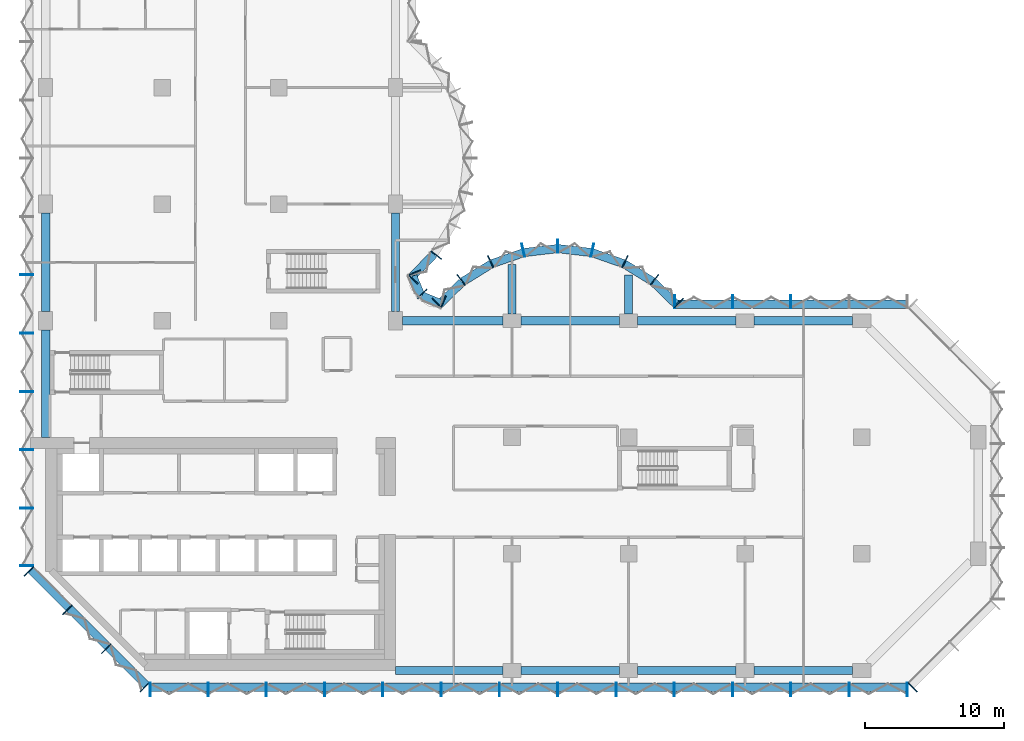
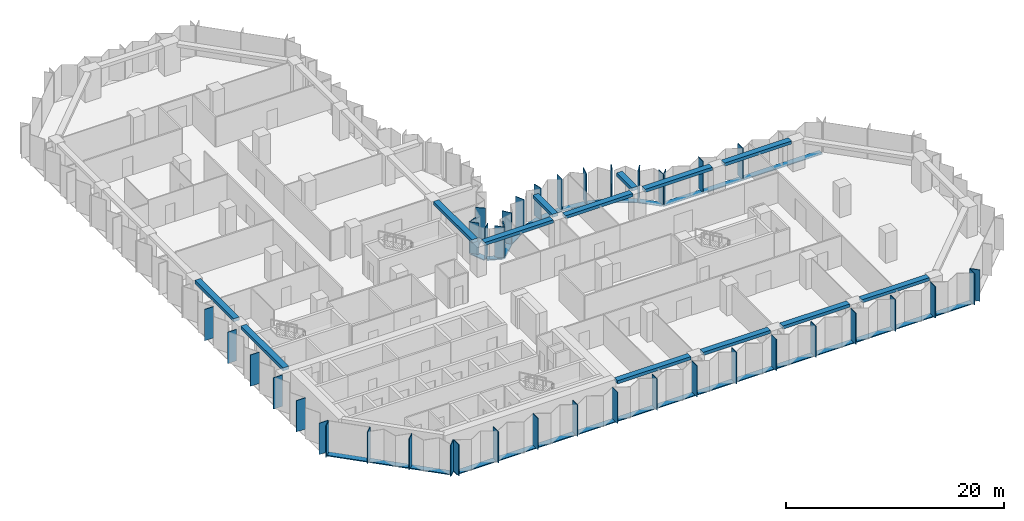
# One storey, part 2 of 13: 56 members, 13 beams, 8 elements without a shape of their own.
"""IFC4 building model written with IfcOpenShell, lengths in metres."""

import ifcopenshell
import ifcopenshell.guid

model = None  # the IFC model being written
_history = None  # IfcOwnerHistory: only IFC2X3 demands one
_inside = {}  # id of a spatial element -> (the spatial element, [elements in it])
_under = {}  # id of a project, library or spatial element -> (it, [spatial elements below it])
_declared = {}  # id of a project -> (the project, [libraries it declares])
_typed = {}  # id of a type object -> (the type object, [elements of that type])
_made_of = {}  # id of a material, layer set ... -> (it, [elements and type objects made of it])


def new_model(schema):
    """Start an empty IFC model of exactly this schema.

    Asked for "IFC4X3", IfcOpenShell would pick the latest addendum, in which some entities
    have other attributes; the version numbers below select the first issue.
    IFC2X3 requires an IfcOwnerHistory on every rooted entity: one is made here for all.
    """
    global model, _history
    if schema == "IFC4X3":
        model = ifcopenshell.file(schema_version=(4, 3, 0, 0))
    else:
        model = ifcopenshell.file(schema=schema)
    _inside.clear()
    _under.clear()
    _declared.clear()
    _typed.clear()
    _made_of.clear()
    _history = None
    if model.schema == "IFC2X3":
        org = make("IfcOrganization", Name="unknown")
        user = make(
            "IfcPersonAndOrganization",
            ThePerson=make("IfcPerson", FamilyName="unknown"),
            TheOrganization=org,
        )
        app = make(
            "IfcApplication",
            ApplicationDeveloper=org,
            Version="unknown",
            ApplicationFullName="unknown",
            ApplicationIdentifier="unknown",
        )
        _history = make(
            "IfcOwnerHistory",
            OwningUser=user,
            OwningApplication=app,
            ChangeAction="ADDED",
            CreationDate=0,
        )
    return model


def make(cls, **values):
    """One entity of the class cls with the attributes given. An attribute that is None is left unset."""
    return model.create_entity(
        cls, **{name: value for name, value in values.items() if value is not None}
    )


def rooted(cls, **values):
    """An entity with a GlobalId (a new one), such as an element, a storey or a relation."""
    return make(cls, GlobalId=ifcopenshell.guid.new(), OwnerHistory=_history, **values)


def si_unit(unit_type, name, prefix=None):
    """IfcSIUnit, for example si_unit("LENGTHUNIT", "METRE", prefix="MILLI")."""
    return make("IfcSIUnit", UnitType=unit_type, Prefix=prefix, Name=name)


def assignment(units):
    """IfcUnitAssignment: the units of a project."""
    return None if units is None else make("IfcUnitAssignment", Units=units)


def point(xyz):
    """IfcCartesianPoint."""
    return None if xyz is None else make("IfcCartesianPoint", Coordinates=xyz)


def direction(xyz):
    """IfcDirection."""
    return None if xyz is None else make("IfcDirection", DirectionRatios=xyz)


def frame(location, z_axis=None, x_axis=None):
    """IfcAxis2Placement3D, a coordinate frame: its origin and axes. An axis left out is left unset."""
    return make(
        "IfcAxis2Placement3D",
        Location=point(location),
        Axis=direction(z_axis),
        RefDirection=direction(x_axis),
    )


def frame_2d(location, x_axis=None):
    """IfcAxis2Placement2D, a coordinate frame in the plane: its origin and x axis."""
    return make(
        "IfcAxis2Placement2D", Location=point(location), RefDirection=direction(x_axis)
    )


def origin():
    """The frame at (0, 0, 0) with its axes left unset."""
    return frame((0.0, 0.0, 0.0))


def origin_2d():
    """The frame at (0, 0) in the plane with its x axis left unset."""
    return frame_2d((0.0, 0.0))


def place(relative_to, where):
    """IfcLocalPlacement: puts the frame where relative to a parent placement (None: the world)."""
    return make(
        "IfcLocalPlacement", PlacementRelTo=relative_to, RelativePlacement=where
    )


def context(
    kind, dimensions, precision=None, world=None, true_north=None, identifier=None
):
    """IfcGeometricRepresentationContext, for example the 3D "Model" context."""
    return make(
        "IfcGeometricRepresentationContext",
        ContextIdentifier=identifier,
        ContextType=kind,
        CoordinateSpaceDimension=dimensions,
        Precision=precision,
        WorldCoordinateSystem=world,
        TrueNorth=true_north,
    )


def subcontext(parent, identifier, kind, view, scale=None):
    """IfcGeometricRepresentationSubContext, for example "Body" below "Model"."""
    return make(
        "IfcGeometricRepresentationSubContext",
        ContextIdentifier=identifier,
        ContextType=kind,
        ParentContext=parent,
        TargetScale=scale,
        TargetView=view,
    )


def project(units=None, contexts=None):
    """IfcProject with its units and contexts."""
    return rooted(
        "IfcProject",
        Name="project",
        RepresentationContexts=contexts,
        UnitsInContext=assignment(units),
    )


def spatial(cls, under=None, at=None, **own):
    """A site, building, storey or space (cls), placed at a placement, below another one or the project."""
    s = rooted(cls, ObjectPlacement=at, **own)
    if under is not None:
        _under.setdefault(under.id(), (under, []))[1].append(s)
    return s


def profile(cls, at=None, kind="AREA", **sizes):
    """A parametric profile (cls). Its sizes go by their IFC names, for example OverallWidth=200.0."""
    return make(cls, ProfileType=kind, Position=at, **sizes)


def rectangle(**sizes):
    """IfcRectangleProfileDef."""
    return profile("IfcRectangleProfileDef", **sizes)


def extrude(swept, where, along, depth):
    """IfcExtrudedAreaSolid: the profile swept, set in the frame where, extruded along a direction by depth."""
    return make(
        "IfcExtrudedAreaSolid",
        SweptArea=swept,
        Position=where,
        ExtrudedDirection=direction(along),
        Depth=depth,
    )


def shape(context_of_items, identifier, shape_type, items):
    """IfcShapeRepresentation: the items that make up one representation, for example the "Body"."""
    return make(
        "IfcShapeRepresentation",
        ContextOfItems=context_of_items,
        RepresentationIdentifier=identifier,
        RepresentationType=shape_type,
        Items=items,
    )


def material(Name=None, Category=None):
    """IfcMaterial."""
    return make("IfcMaterial", Name=Name, Category=Category)


def material_profile(
    of_material, cross_section, Name=None, Category=None, Priority=None
):
    """IfcMaterialProfile: a cross section and its material."""
    return make(
        "IfcMaterialProfile",
        Name=Name,
        Material=of_material,
        Profile=cross_section,
        Priority=Priority,
        Category=Category,
    )


def profile_set(profiles, Name=None, composite=None):
    """IfcMaterialProfileSet."""
    return make(
        "IfcMaterialProfileSet",
        Name=Name,
        MaterialProfiles=profiles,
        CompositeProfile=composite,
    )


def made_of(thing, what):
    """Note that an element or type object is made of a material, layer set ...; save() writes the relation."""
    if what is not None:
        _made_of.setdefault(what.id(), (what, []))[1].append(thing)
    return thing


def type_object(cls, material=None, **own):
    """A type object (cls), such as IfcWallType, which elements share."""
    return made_of(rooted(cls, **own), material)


def element(
    cls,
    number,
    at=None,
    inside=None,
    cuts=None,
    type_object=None,
    material=None,
    context=None,
    identifier="Body",
    shape_type=None,
    held_by="IfcProductDefinitionShape",
    body=None,
    shapes=None,
    **own,
):
    """One element of the class cls, such as IfcWall. Its Tag is "e" and its number.

    at: its placement. inside: the storey or other place that contains it. cuts: it is an
    opening in that element (IfcRelVoidsElement). A single representation is given by context,
    identifier, shape_type and body (its items); several are given by shapes. held_by: the class
    of the entity that holds the representations. save() writes the other relations.
    """
    e = rooted(cls, Tag="e%d" % number, ObjectPlacement=at, **own)
    if body is not None:
        shapes = [shape(context, identifier, shape_type, body)]
    if shapes is not None:
        e.Representation = make(held_by, Representations=shapes)
    if inside is not None:
        _inside.setdefault(inside.id(), (inside, []))[1].append(e)
    if cuts is not None:
        rooted(
            "IfcRelVoidsElement", RelatingBuildingElement=cuts, RelatedOpeningElement=e
        )
    if type_object is not None:
        _typed.setdefault(type_object.id(), (type_object, []))[1].append(e)
    return made_of(e, material)


def aggregate(whole, parts):
    """IfcRelAggregates: a whole, such as a stair, and the parts it consists of."""
    return rooted("IfcRelAggregates", RelatingObject=whole, RelatedObjects=parts)


def save(model, path):
    """Write the relations noted so far, then the file.

    IfcRelAggregates (storeys below a building ...), IfcRelContainedInSpatialStructure (elements
    in a storey), IfcRelDefinesByType, IfcRelAssociatesMaterial and IfcRelDeclares: one each for
    every whole, place, type object, material and project.
    """
    for whole, parts in _under.values():
        aggregate(whole, parts)
    for where, things in _inside.values():
        rooted(
            "IfcRelContainedInSpatialStructure",
            RelatedElements=things,
            RelatingStructure=where,
        )
    for kind, things in _typed.values():
        rooted("IfcRelDefinesByType", RelatedObjects=things, RelatingType=kind)
    for what, things in _made_of.values():
        rooted("IfcRelAssociatesMaterial", RelatedObjects=things, RelatingMaterial=what)
    for by, libraries in _declared.values():
        rooted("IfcRelDeclares", RelatingContext=by, RelatedDefinitions=libraries)
    model.write(path)


model = new_model("IFC4")

# Units and contexts
model_context = context("Model", 3, precision=1e-05, world=origin(), true_north=direction((0.0, 1.0)))
body_context = subcontext(model_context, "Body", "Model", "MODEL_VIEW")
ifc_project = project(units=[si_unit("LENGTHUNIT", "METRE"), si_unit("AREAUNIT", "SQUARE_METRE"), si_unit("VOLUMEUNIT", "CUBIC_METRE"), si_unit("PLANEANGLEUNIT", "RADIAN"), si_unit("MASSUNIT", "GRAM", prefix="KILO")], contexts=[model_context])

# Site, building, storey
site_placement = place(None, origin())
site = spatial("IfcSite", under=ifc_project, at=site_placement, CompositionType="ELEMENT")
building_placement = place(site_placement, origin())
building = spatial("IfcBuilding", under=site, at=building_placement, Name="Brevane Broadcast Tower", CompositionType="ELEMENT")
storey_placement = place(building_placement, frame((0.0, 0.0, 113.300048828125)))
storey = spatial("IfcBuildingStorey", under=building, at=storey_placement, Name="L27", CompositionType="ELEMENT", Elevation=113.300048828125)

# Curtain wall, members
ifc_material_1 = material(Name="Aluminium 6063-T6 bronze anodised", Category="aluminium")
curtain_wall_type = type_object("IfcCurtainWallType", Name="CW-1 curtain wall", PredefinedType="NOTDEFINED", material=ifc_material_1)
curtain_wall_1_placement = place(storey_placement, origin())
curtain_wall_1 = element("IfcCurtainWall", 1, at=curtain_wall_1_placement, inside=storey, type_object=curtain_wall_type, Name="CW-1 typical tilted unit L27 south face", PredefinedType="NOTDEFINED")
ifc_material_profile_1 = material_profile(ifc_material_1, rectangle(XDim=0.949951171875, YDim=0.070068359375, at=origin_2d()), Name="RECT 70x950")
ifc_profile_set_1 = profile_set([ifc_material_profile_1], Name="Aluminium 6063-T6 bronze anodised")
member_type_1 = type_object("IfcMemberType", Name="CW-1 mullion 70x950", PredefinedType="MULLION", material=ifc_profile_set_1)
member_1_placement = place(storey_placement, frame((7.534912109375, -1.375, -0.150146484375), z_axis=(0.0, 0.0, 1.0), x_axis=(0.0, 1.0, 0.0)))
member_1 = element("IfcMember", 2, at=member_1_placement, type_object=member_type_1, Name="CW-1 mullion", PredefinedType="MULLION", context=body_context, shape_type="SweptSolid", body=[
    extrude(rectangle(XDim=0.949951171875, YDim=0.070068359375, at=origin_2d()), origin(), (0.0, 0.0, 1.0), 3.5),
])
member_2_placement = place(storey_placement, frame((11.699951171875, -1.375, -0.150146484375), z_axis=(0.0, 0.0, 1.0), x_axis=(0.0, 1.0, 0.0)))
member_2 = element("IfcMember", 3, at=member_2_placement, type_object=member_type_1, Name="CW-1 mullion", PredefinedType="MULLION", context=body_context, shape_type="SweptSolid", body=[
    extrude(rectangle(XDim=0.949951171875, YDim=0.070068359375, at=origin_2d()), origin(), (0.0, 0.0, 1.0), 3.5),
])
member_3_placement = place(storey_placement, frame((15.89990234375, -1.375, -0.150146484375), z_axis=(0.0, 0.0, 1.0), x_axis=(0.0, 1.0, 0.0)))
member_3 = element("IfcMember", 4, at=member_3_placement, type_object=member_type_1, Name="CW-1 mullion", PredefinedType="MULLION", context=body_context, shape_type="SweptSolid", body=[
    extrude(rectangle(XDim=0.949951171875, YDim=0.070068359375, at=origin_2d()), origin(), (0.0, 0.0, 1.0), 3.5),
])
member_4_placement = place(storey_placement, frame((20.10009765625, -1.375, -0.150146484375), z_axis=(0.0, 0.0, 1.0), x_axis=(0.0, 1.0, 0.0)))
member_4 = element("IfcMember", 5, at=member_4_placement, type_object=member_type_1, Name="CW-1 mullion", PredefinedType="MULLION", context=body_context, shape_type="SweptSolid", body=[
    extrude(rectangle(XDim=0.949951171875, YDim=0.070068359375, at=origin_2d()), origin(), (0.0, 0.0, 1.0), 3.5),
])
member_5_placement = place(storey_placement, frame((24.300048828125, -1.375, -0.150146484375), z_axis=(0.0, 0.0, 1.0), x_axis=(0.0, 1.0, 0.0)))
member_5 = element("IfcMember", 6, at=member_5_placement, type_object=member_type_1, Name="CW-1 mullion", PredefinedType="MULLION", context=body_context, shape_type="SweptSolid", body=[
    extrude(rectangle(XDim=0.949951171875, YDim=0.070068359375, at=origin_2d()), origin(), (0.0, 0.0, 1.0), 3.5),
])
member_6_placement = place(storey_placement, frame((28.5, -1.375, -0.150146484375), z_axis=(0.0, 0.0, 1.0), x_axis=(0.0, 1.0, 0.0)))
member_6 = element("IfcMember", 7, at=member_6_placement, type_object=member_type_1, Name="CW-1 mullion", PredefinedType="MULLION", context=body_context, shape_type="SweptSolid", body=[
    extrude(rectangle(XDim=0.949951171875, YDim=0.070068359375, at=origin_2d()), origin(), (0.0, 0.0, 1.0), 3.5),
])
member_7_placement = place(storey_placement, frame((32.699951171875, -1.375, -0.150146484375), z_axis=(0.0, 0.0, 1.0), x_axis=(0.0, 1.0, 0.0)))
member_7 = element("IfcMember", 8, at=member_7_placement, type_object=member_type_1, Name="CW-1 mullion", PredefinedType="MULLION", context=body_context, shape_type="SweptSolid", body=[
    extrude(rectangle(XDim=0.949951171875, YDim=0.070068359375, at=origin_2d()), origin(), (0.0, 0.0, 1.0), 3.5),
])
member_8_placement = place(storey_placement, frame((36.89990234375, -1.375, -0.150146484375), z_axis=(0.0, 0.0, 1.0), x_axis=(0.0, 1.0, 0.0)))
member_8 = element("IfcMember", 9, at=member_8_placement, type_object=member_type_1, Name="CW-1 mullion", PredefinedType="MULLION", context=body_context, shape_type="SweptSolid", body=[
    extrude(rectangle(XDim=0.949951171875, YDim=0.070068359375, at=origin_2d()), origin(), (0.0, 0.0, 1.0), 3.5),
])
member_9_placement = place(storey_placement, frame((41.10009765625, -1.375, -0.150146484375), z_axis=(0.0, 0.0, 1.0), x_axis=(0.0, 1.0, 0.0)))
member_9 = element("IfcMember", 10, at=member_9_placement, type_object=member_type_1, Name="CW-1 mullion", PredefinedType="MULLION", context=body_context, shape_type="SweptSolid", body=[
    extrude(rectangle(XDim=0.949951171875, YDim=0.070068359375, at=origin_2d()), origin(), (0.0, 0.0, 1.0), 3.5),
])
member_10_placement = place(storey_placement, frame((45.300048828125, -1.375, -0.150146484375), z_axis=(0.0, 0.0, 1.0), x_axis=(0.0, 1.0, 0.0)))
member_10 = element("IfcMember", 11, at=member_10_placement, type_object=member_type_1, Name="CW-1 mullion", PredefinedType="MULLION", context=body_context, shape_type="SweptSolid", body=[
    extrude(rectangle(XDim=0.949951171875, YDim=0.070068359375, at=origin_2d()), origin(), (0.0, 0.0, 1.0), 3.5),
])
member_11_placement = place(storey_placement, frame((49.5, -1.375, -0.150146484375), z_axis=(0.0, 0.0, 1.0), x_axis=(0.0, 1.0, 0.0)))
member_11 = element("IfcMember", 12, at=member_11_placement, type_object=member_type_1, Name="CW-1 mullion", PredefinedType="MULLION", context=body_context, shape_type="SweptSolid", body=[
    extrude(rectangle(XDim=0.949951171875, YDim=0.070068359375, at=origin_2d()), origin(), (0.0, 0.0, 1.0), 3.5),
])
member_12_placement = place(storey_placement, frame((53.699951171875, -1.375, -0.150146484375), z_axis=(0.0, 0.0, 1.0), x_axis=(0.0, 1.0, 0.0)))
member_12 = element("IfcMember", 13, at=member_12_placement, type_object=member_type_1, Name="CW-1 mullion", PredefinedType="MULLION", context=body_context, shape_type="SweptSolid", body=[
    extrude(rectangle(XDim=0.949951171875, YDim=0.070068359375, at=origin_2d()), origin(), (0.0, 0.0, 1.0), 3.5),
])
member_13_placement = place(storey_placement, frame((57.89990234375, -1.375, -0.150146484375), z_axis=(0.0, 0.0, 1.0), x_axis=(0.0, 1.0, 0.0)))
member_13 = element("IfcMember", 14, at=member_13_placement, type_object=member_type_1, Name="CW-1 mullion", PredefinedType="MULLION", context=body_context, shape_type="SweptSolid", body=[
    extrude(rectangle(XDim=0.949951171875, YDim=0.070068359375, at=origin_2d()), origin(), (0.0, 0.0, 1.0), 3.5),
])
member_14_placement = place(storey_placement, frame((62.06494140625, -1.375, -0.150146484375), z_axis=(0.0, 0.0, 1.0), x_axis=(0.0, 1.0, 0.0)))
member_14 = element("IfcMember", 15, at=member_14_placement, type_object=member_type_1, Name="CW-1 mullion", PredefinedType="MULLION", context=body_context, shape_type="SweptSolid", body=[
    extrude(rectangle(XDim=0.949951171875, YDim=0.070068359375, at=origin_2d()), origin(), (0.0, 0.0, 1.0), 3.5),
])

# Curtain wall, member
curtain_wall_2_placement = place(storey_placement, origin())
curtain_wall_2 = element("IfcCurtainWall", 16, at=curtain_wall_2_placement, inside=storey, type_object=curtain_wall_type, Name="CW-1 typical tilted unit L27 south-east chamfer", PredefinedType="NOTDEFINED")
member_15_placement = place(storey_placement, frame((62.460693359375, -1.211181640625, -0.150146484375), z_axis=(0.0, 0.0, 1.0), x_axis=(-0.707106781187, 0.707106781187, 0.0)))
member_15 = element("IfcMember", 17, at=member_15_placement, type_object=member_type_1, Name="CW-1 mullion", PredefinedType="MULLION", context=body_context, shape_type="SweptSolid", body=[
    extrude(rectangle(XDim=0.949951171875, YDim=0.070068359375, at=origin_2d()), origin(), (0.0, 0.0, 1.0), 3.5),
])
aggregate(curtain_wall_2, [member_15])

# Curtain wall, members
curtain_wall_3_placement = place(storey_placement, origin())
curtain_wall_3 = element("IfcCurtainWall", 18, at=curtain_wall_3_placement, inside=storey, type_object=curtain_wall_type, Name="CW-1 typical tilted unit L27 east arm north face", PredefinedType="NOTDEFINED")
member_16_placement = place(storey_placement, frame((53.699951171875, 26.574951171875, -0.150146484375), z_axis=(0.0, 0.0, 1.0), x_axis=(0.0, -1.0, 0.0)))
member_16 = element("IfcMember", 19, at=member_16_placement, type_object=member_type_1, Name="CW-1 mullion", PredefinedType="MULLION", context=body_context, shape_type="SweptSolid", body=[
    extrude(rectangle(XDim=0.949951171875, YDim=0.070068359375, at=origin_2d()), origin(), (0.0, 0.0, 1.0), 3.5),
])
member_17_placement = place(storey_placement, frame((49.5, 26.574951171875, -0.150146484375), z_axis=(0.0, 0.0, 1.0), x_axis=(0.0, -1.0, 0.0)))
member_17 = element("IfcMember", 20, at=member_17_placement, type_object=member_type_1, Name="CW-1 mullion", PredefinedType="MULLION", context=body_context, shape_type="SweptSolid", body=[
    extrude(rectangle(XDim=0.949951171875, YDim=0.070068359375, at=origin_2d()), origin(), (0.0, 0.0, 1.0), 3.5),
])
member_18_placement = place(storey_placement, frame((45.3349609375, 26.574951171875, -0.150146484375), z_axis=(0.0, 0.0, 1.0), x_axis=(0.0, -1.0, 0.0)))
member_18 = element("IfcMember", 21, at=member_18_placement, type_object=member_type_1, Name="CW-1 mullion", PredefinedType="MULLION", context=body_context, shape_type="SweptSolid", body=[
    extrude(rectangle(XDim=0.949951171875, YDim=0.070068359375, at=origin_2d()), origin(), (0.0, 0.0, 1.0), 3.5),
])

curtain_wall_4_placement = place(storey_placement, origin())
curtain_wall_4 = element("IfcCurtainWall", 22, at=curtain_wall_4_placement, inside=storey, type_object=curtain_wall_type, Name="CW-1 typical tilted unit L27 east bow", PredefinedType="NOTDEFINED")
member_19_placement = place(storey_placement, frame((45.60595703125, 26.465087890625, -0.150146484375), z_axis=(0.0, 0.0, 1.0), x_axis=(-0.696811941702, -0.717253872699, 0.0)))
member_19 = element("IfcMember", 23, at=member_19_placement, type_object=member_type_1, Name="CW-1 mullion", PredefinedType="MULLION", context=body_context, shape_type="SweptSolid", body=[
    extrude(rectangle(XDim=0.949951171875, YDim=0.070068359375, at=origin_2d()), origin(), (0.0, 0.0, 1.0), 3.5),
])
member_20_placement = place(storey_placement, frame((43.8720703125, 28.1455078125, -0.150146484375), z_axis=(0.0, 0.0, 1.0), x_axis=(-0.614769738617, -0.788706642853, 0.0)))
member_20 = element("IfcMember", 24, at=member_20_placement, type_object=member_type_1, Name="CW-1 mullion", PredefinedType="MULLION", context=body_context, shape_type="SweptSolid", body=[
    extrude(rectangle(XDim=0.949951171875, YDim=0.070068359375, at=origin_2d()), origin(), (0.0, 0.0, 1.0), 3.5),
])
member_21_placement = place(storey_placement, frame((41.746826171875, 29.4580078125, -0.150146484375), z_axis=(0.0, 0.0, 1.0), x_axis=(-0.429933601163, -0.902860508933, 0.0)))
member_21 = element("IfcMember", 25, at=member_21_placement, type_object=member_type_1, Name="CW-1 mullion", PredefinedType="MULLION", context=body_context, shape_type="SweptSolid", body=[
    extrude(rectangle(XDim=0.949951171875, YDim=0.070068359375, at=origin_2d()), origin(), (0.0, 0.0, 1.0), 3.5),
])
member_22_placement = place(storey_placement, frame((39.38818359375, 30.28076171875, -0.150146484375), z_axis=(0.0, 0.0, 1.0), x_axis=(-0.224806482215, -0.974403430594, 0.0)))
member_22 = element("IfcMember", 26, at=member_22_placement, type_object=member_type_1, Name="CW-1 mullion", PredefinedType="MULLION", context=body_context, shape_type="SweptSolid", body=[
    extrude(rectangle(XDim=0.949951171875, YDim=0.070068359375, at=origin_2d()), origin(), (0.0, 0.0, 1.0), 3.5),
])
member_23_placement = place(storey_placement, frame((36.89990234375, 30.574951171875, -0.150146484375), z_axis=(0.0, 0.0, 1.0), x_axis=(0.0, -1.0, 0.0)))
member_23 = element("IfcMember", 27, at=member_23_placement, type_object=member_type_1, Name="CW-1 mullion", PredefinedType="MULLION", context=body_context, shape_type="SweptSolid", body=[
    extrude(rectangle(XDim=0.949951171875, YDim=0.070068359375, at=origin_2d()), origin(), (0.0, 0.0, 1.0), 3.5),
])
member_24_placement = place(storey_placement, frame((34.411865234375, 30.28076171875, -0.150146484375), z_axis=(0.0, 0.0, 1.0), x_axis=(0.224806482215, -0.974403430594, 0.0)))
member_24 = element("IfcMember", 28, at=member_24_placement, type_object=member_type_1, Name="CW-1 mullion", PredefinedType="MULLION", context=body_context, shape_type="SweptSolid", body=[
    extrude(rectangle(XDim=0.949951171875, YDim=0.070068359375, at=origin_2d()), origin(), (0.0, 0.0, 1.0), 3.5),
])
member_25_placement = place(storey_placement, frame((32.05322265625, 29.4580078125, -0.150146484375), z_axis=(0.0, 0.0, 1.0), x_axis=(0.429933601163, -0.902860508933, 0.0)))
member_25 = element("IfcMember", 29, at=member_25_placement, type_object=member_type_1, Name="CW-1 mullion", PredefinedType="MULLION", context=body_context, shape_type="SweptSolid", body=[
    extrude(rectangle(XDim=0.949951171875, YDim=0.070068359375, at=origin_2d()), origin(), (0.0, 0.0, 1.0), 3.5),
])
member_26_placement = place(storey_placement, frame((29.927978515625, 28.1455078125, -0.150146484375), z_axis=(0.0, 0.0, 1.0), x_axis=(0.614769738617, -0.788706642853, 0.0)))
member_26 = element("IfcMember", 30, at=member_26_placement, type_object=member_type_1, Name="CW-1 mullion", PredefinedType="MULLION", context=body_context, shape_type="SweptSolid", body=[
    extrude(rectangle(XDim=0.949951171875, YDim=0.070068359375, at=origin_2d()), origin(), (0.0, 0.0, 1.0), 3.5),
])
member_27_placement = place(storey_placement, frame((28.194091796875, 26.465087890625, -0.150146484375), z_axis=(0.0, 0.0, 1.0), x_axis=(0.696811941702, -0.717253872699, 0.0)))
member_27 = element("IfcMember", 31, at=member_27_placement, type_object=member_type_1, Name="CW-1 mullion", PredefinedType="MULLION", context=body_context, shape_type="SweptSolid", body=[
    extrude(rectangle(XDim=0.949951171875, YDim=0.070068359375, at=origin_2d()), origin(), (0.0, 0.0, 1.0), 3.5),
])

curtain_wall_5_placement = place(storey_placement, origin())
curtain_wall_5 = element("IfcCurtainWall", 32, at=curtain_wall_5_placement, inside=storey, type_object=curtain_wall_type, Name="CW-1 typical tilted unit L27 inner corner", PredefinedType="NOTDEFINED")
member_28_placement = place(storey_placement, frame((28.6494140625, 26.55224609375, -0.150146484375), z_axis=(0.0, 0.0, 1.0), x_axis=(-0.382683612978, -0.923879457699, 0.0)))
member_28 = element("IfcMember", 33, at=member_28_placement, type_object=member_type_1, Name="CW-1 mullion", PredefinedType="MULLION", context=body_context, shape_type="SweptSolid", body=[
    extrude(rectangle(XDim=0.949951171875, YDim=0.070068359375, at=origin_2d()), origin(), (0.0, 0.0, 1.0), 3.5),
])
member_29_placement = place(storey_placement, frame((27.138916015625, 27.138916015625, -0.150146484375), z_axis=(0.0, 0.0, 1.0), x_axis=(-0.707106781187, -0.707106781187, 0.0)))
member_29 = element("IfcMember", 34, at=member_29_placement, type_object=member_type_1, Name="CW-1 mullion", PredefinedType="MULLION", context=body_context, shape_type="SweptSolid", body=[
    extrude(rectangle(XDim=0.949951171875, YDim=0.070068359375, at=origin_2d()), origin(), (0.0, 0.0, 1.0), 3.5),
])
member_30_placement = place(storey_placement, frame((26.55224609375, 28.6494140625, -0.150146484375), z_axis=(0.0, 0.0, 1.0), x_axis=(-0.923879457699, -0.382683612978, 0.0)))
member_30 = element("IfcMember", 35, at=member_30_placement, type_object=member_type_1, Name="CW-1 mullion", PredefinedType="MULLION", context=body_context, shape_type="SweptSolid", body=[
    extrude(rectangle(XDim=0.949951171875, YDim=0.070068359375, at=origin_2d()), origin(), (0.0, 0.0, 1.0), 3.5),
])

curtain_wall_6_placement = place(storey_placement, origin())
curtain_wall_6 = element("IfcCurtainWall", 36, at=curtain_wall_6_placement, inside=storey, type_object=curtain_wall_type, Name="CW-1 typical tilted unit L27 north bow", PredefinedType="NOTDEFINED")
member_31_placement = place(storey_placement, frame((26.465087890625, 28.194091796875, -0.150146484375), z_axis=(0.0, 0.0, 1.0), x_axis=(-0.717253872699, 0.696811941702, 0.0)))
member_31 = element("IfcMember", 37, at=member_31_placement, type_object=member_type_1, Name="CW-1 mullion", PredefinedType="MULLION", context=body_context, shape_type="SweptSolid", body=[
    extrude(rectangle(XDim=0.949951171875, YDim=0.070068359375, at=origin_2d()), origin(), (0.0, 0.0, 1.0), 3.5),
])
member_32_placement = place(storey_placement, frame((28.1455078125, 29.927978515625, -0.150146484375), z_axis=(0.0, 0.0, 1.0), x_axis=(-0.788706642853, 0.614769738617, 0.0)))
member_32 = element("IfcMember", 38, at=member_32_placement, type_object=member_type_1, Name="CW-1 mullion", PredefinedType="MULLION", context=body_context, shape_type="SweptSolid", body=[
    extrude(rectangle(XDim=0.949951171875, YDim=0.070068359375, at=origin_2d()), origin(), (0.0, 0.0, 1.0), 3.5),
])

curtain_wall_7_placement = place(storey_placement, origin())
curtain_wall_7 = element("IfcCurtainWall", 39, at=curtain_wall_7_placement, inside=storey, type_object=curtain_wall_type, Name="CW-1 typical tilted unit L27 west face", PredefinedType="NOTDEFINED")
member_33_placement = place(storey_placement, frame((-1.375, 28.5, -0.150146484375), z_axis=(0.0, 0.0, 1.0), x_axis=(1.0, 0.0, 0.0)))
member_33 = element("IfcMember", 40, at=member_33_placement, type_object=member_type_1, Name="CW-1 mullion", PredefinedType="MULLION", context=body_context, shape_type="SweptSolid", body=[
    extrude(rectangle(XDim=0.949951171875, YDim=0.070068359375, at=origin_2d()), origin(), (0.0, 0.0, 1.0), 3.5),
])
member_34_placement = place(storey_placement, frame((-1.375, 24.300048828125, -0.150146484375), z_axis=(0.0, 0.0, 1.0), x_axis=(1.0, 0.0, 0.0)))
member_34 = element("IfcMember", 41, at=member_34_placement, type_object=member_type_1, Name="CW-1 mullion", PredefinedType="MULLION", context=body_context, shape_type="SweptSolid", body=[
    extrude(rectangle(XDim=0.949951171875, YDim=0.070068359375, at=origin_2d()), origin(), (0.0, 0.0, 1.0), 3.5),
])
member_35_placement = place(storey_placement, frame((-1.375, 20.10009765625, -0.150146484375), z_axis=(0.0, 0.0, 1.0), x_axis=(1.0, 0.0, 0.0)))
member_35 = element("IfcMember", 42, at=member_35_placement, type_object=member_type_1, Name="CW-1 mullion", PredefinedType="MULLION", context=body_context, shape_type="SweptSolid", body=[
    extrude(rectangle(XDim=0.949951171875, YDim=0.070068359375, at=origin_2d()), origin(), (0.0, 0.0, 1.0), 3.5),
])
member_36_placement = place(storey_placement, frame((-1.375, 15.89990234375, -0.150146484375), z_axis=(0.0, 0.0, 1.0), x_axis=(1.0, 0.0, 0.0)))
member_36 = element("IfcMember", 43, at=member_36_placement, type_object=member_type_1, Name="CW-1 mullion", PredefinedType="MULLION", context=body_context, shape_type="SweptSolid", body=[
    extrude(rectangle(XDim=0.949951171875, YDim=0.070068359375, at=origin_2d()), origin(), (0.0, 0.0, 1.0), 3.5),
])
member_37_placement = place(storey_placement, frame((-1.375, 11.699951171875, -0.150146484375), z_axis=(0.0, 0.0, 1.0), x_axis=(1.0, 0.0, 0.0)))
member_37 = element("IfcMember", 44, at=member_37_placement, type_object=member_type_1, Name="CW-1 mullion", PredefinedType="MULLION", context=body_context, shape_type="SweptSolid", body=[
    extrude(rectangle(XDim=0.949951171875, YDim=0.070068359375, at=origin_2d()), origin(), (0.0, 0.0, 1.0), 3.5),
])
member_38_placement = place(storey_placement, frame((-1.375, 7.534912109375, -0.150146484375), z_axis=(0.0, 0.0, 1.0), x_axis=(1.0, 0.0, 0.0)))
member_38 = element("IfcMember", 45, at=member_38_placement, type_object=member_type_1, Name="CW-1 mullion", PredefinedType="MULLION", context=body_context, shape_type="SweptSolid", body=[
    extrude(rectangle(XDim=0.949951171875, YDim=0.070068359375, at=origin_2d()), origin(), (0.0, 0.0, 1.0), 3.5),
])
aggregate(curtain_wall_7, [member_33, member_34, member_35, member_36, member_37, member_38])

curtain_wall_8_placement = place(storey_placement, origin())
curtain_wall_8 = element("IfcCurtainWall", 46, at=curtain_wall_8_placement, inside=storey, type_object=curtain_wall_type, Name="CW-1 typical tilted unit L27 south-west chamfer", PredefinedType="NOTDEFINED")
member_39_placement = place(storey_placement, frame((-1.211181640625, 7.139404296875, -0.150146484375), z_axis=(0.0, 0.0, 1.0), x_axis=(0.707106781187, 0.707106781187, 0.0)))
member_39 = element("IfcMember", 47, at=member_39_placement, type_object=member_type_1, Name="CW-1 mullion", PredefinedType="MULLION", context=body_context, shape_type="SweptSolid", body=[
    extrude(rectangle(XDim=0.949951171875, YDim=0.070068359375, at=origin_2d()), origin(), (0.0, 0.0, 1.0), 3.5),
])
member_40_placement = place(storey_placement, frame((1.564208984375, 4.364013671875, -0.150146484375), z_axis=(0.0, 0.0, 1.0), x_axis=(0.707106781187, 0.707106781187, 0.0)))
member_40 = element("IfcMember", 48, at=member_40_placement, type_object=member_type_1, Name="CW-1 mullion", PredefinedType="MULLION", context=body_context, shape_type="SweptSolid", body=[
    extrude(rectangle(XDim=0.949951171875, YDim=0.070068359375, at=origin_2d()), origin(), (0.0, 0.0, 1.0), 3.5),
])
member_41_placement = place(storey_placement, frame((4.364013671875, 1.564208984375, -0.150146484375), z_axis=(0.0, 0.0, 1.0), x_axis=(0.707106781187, 0.707106781187, 0.0)))
member_41 = element("IfcMember", 49, at=member_41_placement, type_object=member_type_1, Name="CW-1 mullion", PredefinedType="MULLION", context=body_context, shape_type="SweptSolid", body=[
    extrude(rectangle(XDim=0.949951171875, YDim=0.070068359375, at=origin_2d()), origin(), (0.0, 0.0, 1.0), 3.5),
])
member_42_placement = place(storey_placement, frame((7.139404296875, -1.211181640625, -0.150146484375), z_axis=(0.0, 0.0, 1.0), x_axis=(0.707106781187, 0.707106781187, 0.0)))
member_42 = element("IfcMember", 50, at=member_42_placement, type_object=member_type_1, Name="CW-1 mullion", PredefinedType="MULLION", context=body_context, shape_type="SweptSolid", body=[
    extrude(rectangle(XDim=0.949951171875, YDim=0.070068359375, at=origin_2d()), origin(), (0.0, 0.0, 1.0), 3.5),
])

# Member
ifc_material_profile_2 = material_profile(ifc_material_1, rectangle(XDim=0.60009765625, YDim=0.10009765625, at=origin_2d()), Name="RECT 100x600")
ifc_profile_set_2 = profile_set([ifc_material_profile_2], Name="Aluminium 6063-T6 bronze anodised")
member_type_2 = type_object("IfcMemberType", Name="CW-1 transom 100x600", PredefinedType="USERDEFINED", material=ifc_profile_set_2)
member_43_placement = place(storey_placement, frame((7.5, -1.199951171875, -0.199951171875), z_axis=(1.0, 0.0, 0.0), x_axis=(0.0, 1.0, 0.0)))
member_43 = element("IfcMember", 51, at=member_43_placement, type_object=member_type_2, Name="CW-1 transom", ObjectType="TRANSOM", PredefinedType="USERDEFINED", context=body_context, shape_type="SweptSolid", body=[
    extrude(rectangle(XDim=0.60009765625, YDim=0.10009765625, at=origin_2d()), origin(), (0.0, 0.0, 1.0), 54.60009765625),
])

aggregate(curtain_wall_1, [member_1, member_2, member_3, member_4, member_5, member_6, member_7, member_8, member_9, member_10, member_11, member_12, member_13, member_14, member_43])

member_44_placement = place(storey_placement, frame((62.10009765625, 26.39990234375, -0.199951171875), z_axis=(-1.0, 0.0, 0.0), x_axis=(0.0, -1.0, 0.0)))
member_44 = element("IfcMember", 52, at=member_44_placement, type_object=member_type_2, Name="CW-1 transom", ObjectType="TRANSOM", PredefinedType="USERDEFINED", context=body_context, shape_type="SweptSolid", body=[
    extrude(rectangle(XDim=0.60009765625, YDim=0.10009765625, at=origin_2d()), origin(), (0.0, 0.0, 1.0), 16.800048828125),
])

aggregate(curtain_wall_3, [member_16, member_17, member_18, member_44])

member_45_placement = place(storey_placement, frame((45.412841796875, 26.407958984375, -0.199951171875), z_axis=(-0.71724215871, 0.696823999134, 0.0), x_axis=(-0.696823999134, -0.71724215871, 0.0)))
member_45 = element("IfcMember", 53, at=member_45_placement, type_object=member_type_2, Name="CW-1 transom", ObjectType="TRANSOM", PredefinedType="USERDEFINED", context=body_context, shape_type="SweptSolid", body=[
    extrude(rectangle(XDim=0.60009765625, YDim=0.10009765625, at=origin_2d()), origin(), (0.0, 0.0, 1.0), 2.247802734375),
])

member_46_placement = place(storey_placement, frame((43.7421875, 28.023193359375, -0.199951171875), z_axis=(-0.850810063131, 0.525473345162, 0.0), x_axis=(-0.525473345162, -0.850810063131, 0.0)))
member_46 = element("IfcMember", 54, at=member_46_placement, type_object=member_type_2, Name="CW-1 transom", ObjectType="TRANSOM", PredefinedType="USERDEFINED", context=body_context, shape_type="SweptSolid", body=[
    extrude(rectangle(XDim=0.60009765625, YDim=0.10009765625, at=origin_2d()), origin(), (0.0, 0.0, 1.0), 2.39453125),
])

member_47_placement = place(storey_placement, frame((41.63623046875, 29.314208984375, -0.199951171875), z_axis=(-0.944197969542, 0.329378497041, 0.0), x_axis=(-0.329378497041, -0.944197969542, 0.0)))
member_47 = element("IfcMember", 55, at=member_47_placement, type_object=member_type_2, Name="CW-1 transom", ObjectType="TRANSOM", PredefinedType="USERDEFINED", context=body_context, shape_type="SweptSolid", body=[
    extrude(rectangle(XDim=0.60009765625, YDim=0.10009765625, at=origin_2d()), origin(), (0.0, 0.0, 1.0), 2.394775390625),
])

member_48_placement = place(storey_placement, frame((39.30029296875, 30.117431640625, -0.199951171875), z_axis=(-0.993062061831, 0.117591417, 0.0), x_axis=(-0.117591417, -0.993062061831, 0.0)))
member_48 = element("IfcMember", 56, at=member_48_placement, type_object=member_type_2, Name="CW-1 transom", ObjectType="TRANSOM", PredefinedType="USERDEFINED", context=body_context, shape_type="SweptSolid", body=[
    extrude(rectangle(XDim=0.60009765625, YDim=0.10009765625, at=origin_2d()), origin(), (0.0, 0.0, 1.0), 2.39794921875),
])

member_49_placement = place(storey_placement, frame((36.880859375, 30.3994140625, -0.199951171875), z_axis=(-0.993060653805, -0.117603307202, 0.0), x_axis=(0.117603307202, -0.993060653805, 0.0)))
member_49 = element("IfcMember", 57, at=member_49_placement, type_object=member_type_2, Name="CW-1 transom", ObjectType="TRANSOM", PredefinedType="USERDEFINED", context=body_context, shape_type="SweptSolid", body=[
    extrude(rectangle(XDim=0.60009765625, YDim=0.10009765625, at=origin_2d()), origin(), (0.0, 0.0, 1.0), 2.397705078125),
])

member_50_placement = place(storey_placement, frame((34.425048828125, 30.10302734375, -0.199951171875), z_axis=(-0.944197969542, -0.329378497041, 0.0), x_axis=(0.329378497041, -0.944197969542, 0.0)))
member_50 = element("IfcMember", 58, at=member_50_placement, type_object=member_type_2, Name="CW-1 transom", ObjectType="TRANSOM", PredefinedType="USERDEFINED", context=body_context, shape_type="SweptSolid", body=[
    extrude(rectangle(XDim=0.60009765625, YDim=0.10009765625, at=origin_2d()), origin(), (0.0, 0.0, 1.0), 2.394775390625),
])

member_51_placement = place(storey_placement, frame((32.09521484375, 29.281494140625, -0.199951171875), z_axis=(-0.850838211365, -0.525427766759, 0.0), x_axis=(0.525427766759, -0.850838211365, 0.0)))
member_51 = element("IfcMember", 59, at=member_51_placement, type_object=member_type_2, Name="CW-1 transom", ObjectType="TRANSOM", PredefinedType="USERDEFINED", context=body_context, shape_type="SweptSolid", body=[
    extrude(rectangle(XDim=0.60009765625, YDim=0.10009765625, at=origin_2d()), origin(), (0.0, 0.0, 1.0), 2.394775390625),
])

member_52_placement = place(storey_placement, frame((29.99951171875, 27.974365234375, -0.199951171875), z_axis=(-0.71724215871, -0.696823999134, 0.0), x_axis=(0.696823999134, -0.71724215871, 0.0)))
member_52 = element("IfcMember", 60, at=member_52_placement, type_object=member_type_2, Name="CW-1 transom", ObjectType="TRANSOM", PredefinedType="USERDEFINED", context=body_context, shape_type="SweptSolid", body=[
    extrude(rectangle(XDim=0.60009765625, YDim=0.10009765625, at=origin_2d()), origin(), (0.0, 0.0, 1.0), 2.247802734375),
])

aggregate(curtain_wall_4, [member_19, member_20, member_21, member_22, member_23, member_24, member_25, member_26, member_27, member_45, member_46, member_47, member_48, member_49, member_50, member_51, member_52])

member_53_placement = place(storey_placement, frame((28.528076171875, 26.40673828125, -0.199951171875), z_axis=(-0.923883243627, 0.382674472816, 0.0), x_axis=(-0.382674472816, -0.923883243627, 0.0)))
member_53 = element("IfcMember", 61, at=member_53_placement, type_object=member_type_2, Name="CW-1 transom", ObjectType="TRANSOM", PredefinedType="USERDEFINED", context=body_context, shape_type="SweptSolid", body=[
    extrude(rectangle(XDim=0.60009765625, YDim=0.10009765625, at=origin_2d()), origin(), (0.0, 0.0, 1.0), 1.536865234375),
])

member_54_placement = place(storey_placement, frame((27.039794921875, 27.0, -0.199951171875), z_axis=(-0.382674472816, 0.923883243627, 0.0), x_axis=(-0.923883243627, -0.382674472816, 0.0)))
member_54 = element("IfcMember", 62, at=member_54_placement, type_object=member_type_2, Name="CW-1 transom", ObjectType="TRANSOM", PredefinedType="USERDEFINED", context=body_context, shape_type="SweptSolid", body=[
    extrude(rectangle(XDim=0.60009765625, YDim=0.10009765625, at=origin_2d()), origin(), (0.0, 0.0, 1.0), 1.536865234375),
])

aggregate(curtain_wall_5, [member_28, member_29, member_30, member_53, member_54])

member_55_placement = place(storey_placement, frame((26.407958984375, 28.38720703125, -0.199951171875), z_axis=(0.696823999134, 0.71724215871, 0.0), x_axis=(-0.71724215871, 0.696823999134, 0.0)))
member_55 = element("IfcMember", 63, at=member_55_placement, type_object=member_type_2, Name="CW-1 transom", ObjectType="TRANSOM", PredefinedType="USERDEFINED", context=body_context, shape_type="SweptSolid", body=[
    extrude(rectangle(XDim=0.60009765625, YDim=0.10009765625, at=origin_2d()), origin(), (0.0, 0.0, 1.0), 2.247802734375),
])

aggregate(curtain_wall_6, [member_31, member_32, member_55])

member_56_placement = place(storey_placement, frame((-1.112060546875, 7.287841796875, -0.199951171875), z_axis=(0.707106781187, -0.707106781187, 0.0), x_axis=(0.707106781187, 0.707106781187, 0.0)))
member_56 = element("IfcMember", 64, at=member_56_placement, type_object=member_type_2, Name="CW-1 transom", ObjectType="TRANSOM", PredefinedType="USERDEFINED", context=body_context, shape_type="SweptSolid", body=[
    extrude(rectangle(XDim=0.60009765625, YDim=0.10009765625, at=origin_2d()), origin(), (0.0, 0.0, 1.0), 11.879150390625),
])

aggregate(curtain_wall_8, [member_39, member_40, member_41, member_42, member_56])

# Beams
ifc_material_2 = material(Name="Concrete C40/50", Category="concrete")
ifc_material_profile_3 = material_profile(ifc_material_2, rectangle(XDim=0.60009765625, YDim=0.35009765625, at=origin_2d()), Name="RC 600x350")
ifc_profile_set_3 = profile_set([ifc_material_profile_3], Name="Concrete C40/50")
beam_type_1 = type_object("IfcBeamType", Name="RC BRACKET BEAM 600x350 C40/50", PredefinedType="BEAM", material=ifc_profile_set_3)
beam_1_placement = place(storey_placement, frame((33.60009765625, 25.699951171875, 3.175048828125), z_axis=(0.0, 1.0, 0.0), x_axis=(-1.0, 0.0, 0.0)))
element("IfcBeam", 65, at=beam_1_placement, inside=storey, type_object=beam_type_1, Name="EB2 L27-3", PredefinedType="BEAM", context=body_context, shape_type="SweptSolid", body=[
    extrude(rectangle(XDim=0.60009765625, YDim=0.35009765625, at=origin_2d()), origin(), (0.0, 0.0, 1.0), 3.56201171875),
])
beam_2_placement = place(storey_placement, frame((42.0, 25.699951171875, 3.175048828125), z_axis=(0.0, 1.0, 0.0), x_axis=(-1.0, 0.0, 0.0)))
element("IfcBeam", 66, at=beam_2_placement, inside=storey, type_object=beam_type_1, Name="EB2 L27-4", PredefinedType="BEAM", context=body_context, shape_type="SweptSolid", body=[
    extrude(rectangle(XDim=0.60009765625, YDim=0.35009765625, at=origin_2d()), origin(), (0.0, 0.0, 1.0), 2.8115234375),
])
ifc_material_profile_4 = material_profile(ifc_material_2, rectangle(XDim=0.60009765625, YDim=0.35009765625, at=origin_2d()), Name="RC 600x350")
ifc_profile_set_4 = profile_set([ifc_material_profile_4], Name="Concrete C40/50")
beam_type_2 = type_object("IfcBeamType", Name="RC SPANDREL BEAM 600x350 C40/50", PredefinedType="SPANDREL", material=ifc_profile_set_4)
beam_3_placement = place(storey_placement, frame((25.199951171875, 0.0, 3.175048828125), z_axis=(1.0, 0.0, 0.0), x_axis=(0.0, 1.0, 0.0)))
element("IfcBeam", 67, at=beam_3_placement, inside=storey, type_object=beam_type_2, Name="EB1 L27-1", PredefinedType="SPANDREL", context=body_context, shape_type="SweptSolid", body=[
    extrude(rectangle(XDim=0.60009765625, YDim=0.35009765625, at=origin_2d()), origin(), (0.0, 0.0, 1.0), 7.75),
])
for number, where, z_axis, x_axis, name in (
    (68, (34.25, 0.0, 3.175048828125), (1.0, 0.0, 0.0), (0.0, 1.0, 0.0), "EB1 L27-2"),
    (69, (42.64990234375, 0.0, 3.175048828125), (1.0, 0.0, 0.0), (0.0, 1.0, 0.0), "EB1 L27-3"),
):
    element("IfcBeam", number, at=place(storey_placement, frame(where, z_axis=z_axis, x_axis=x_axis)), inside=storey, type_object=beam_type_2, Name=name, PredefinedType="SPANDREL", context=body_context, shape_type="SweptSolid", body=[
        extrude(rectangle(XDim=0.60009765625, YDim=0.35009765625, at=origin_2d()), origin(), (0.0, 0.0, 1.0), 7.10009765625),
    ])
for number, where, z_axis, x_axis, name in (
    (70, (51.050048828125, 0.0, 3.175048828125), (1.0, 0.0, 0.0), (0.0, 1.0, 0.0), "EB1 L27-4"),
    (71, (58.14990234375, 25.199951171875, 3.175048828125), (-1.0, 0.0, 0.0), (0.0, -1.0, 0.0), "EB1 L27-8"),
):
    element("IfcBeam", number, at=place(storey_placement, frame(where, z_axis=z_axis, x_axis=x_axis)), inside=storey, type_object=beam_type_2, Name=name, PredefinedType="SPANDREL", context=body_context, shape_type="SweptSolid", body=[
        extrude(rectangle(XDim=0.60009765625, YDim=0.35009765625, at=origin_2d()), origin(), (0.0, 0.0, 1.0), 7.099853515625),
    ])
for number, where, z_axis, x_axis, name in (
    (72, (49.75, 25.199951171875, 3.175048828125), (-1.0, 0.0, 0.0), (0.0, -1.0, 0.0), "EB1 L27-9"),
    (73, (41.35009765625, 25.199951171875, 3.175048828125), (-1.0, 0.0, 0.0), (0.0, -1.0, 0.0), "EB1 L27-10"),
):
    element("IfcBeam", number, at=place(storey_placement, frame(where, z_axis=z_axis, x_axis=x_axis)), inside=storey, type_object=beam_type_2, Name=name, PredefinedType="SPANDREL", context=body_context, shape_type="SweptSolid", body=[
        extrude(rectangle(XDim=0.60009765625, YDim=0.35009765625, at=origin_2d()), origin(), (0.0, 0.0, 1.0), 7.10009765625),
    ])
beam_4_placement = place(storey_placement, frame((32.949951171875, 25.199951171875, 3.175048828125), z_axis=(-1.0, 0.0, 0.0), x_axis=(0.0, -1.0, 0.0)))
element("IfcBeam", 74, at=beam_4_placement, inside=storey, type_object=beam_type_2, Name="EB1 L27-11", PredefinedType="SPANDREL", context=body_context, shape_type="SweptSolid", body=[
    extrude(rectangle(XDim=0.60009765625, YDim=0.35009765625, at=origin_2d()), origin(), (0.0, 0.0, 1.0), 7.25),
])
for number, where, z_axis, x_axis, name in (
    (75, (25.199951171875, 25.85009765625, 3.175048828125), (0.0, 1.0, 0.0), (-1.0, 0.0, 0.0), "EB1 L27-12"),
    (76, (0.0, 32.949951171875, 3.175048828125), (0.0, -1.0, 0.0), (1.0, 0.0, 0.0), "EB1 L27-22"),
):
    element("IfcBeam", number, at=place(storey_placement, frame(where, z_axis=z_axis, x_axis=x_axis)), inside=storey, type_object=beam_type_2, Name=name, PredefinedType="SPANDREL", context=body_context, shape_type="SweptSolid", body=[
        extrude(rectangle(XDim=0.60009765625, YDim=0.35009765625, at=origin_2d()), origin(), (0.0, 0.0, 1.0), 7.099853515625),
    ])
beam_5_placement = place(storey_placement, frame((0.0, 24.550048828125, 3.175048828125), z_axis=(0.0, -1.0, 0.0), x_axis=(1.0, 0.0, 0.0)))
element("IfcBeam", 77, at=beam_5_placement, inside=storey, type_object=beam_type_2, Name="EB1 L27-23", PredefinedType="SPANDREL", context=body_context, shape_type="SweptSolid", body=[
    extrude(rectangle(XDim=0.60009765625, YDim=0.35009765625, at=origin_2d()), origin(), (0.0, 0.0, 1.0), 7.75),
])

save(model, "model.ifc")
